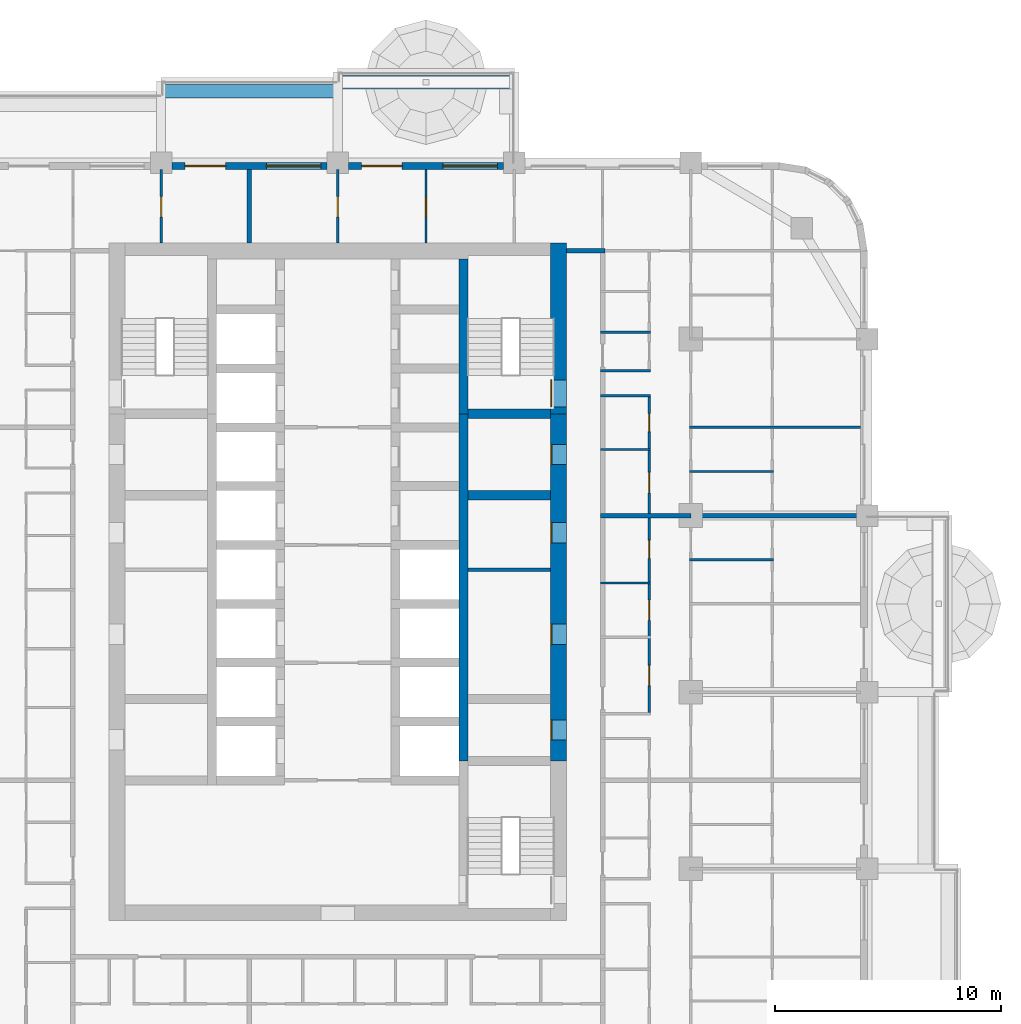
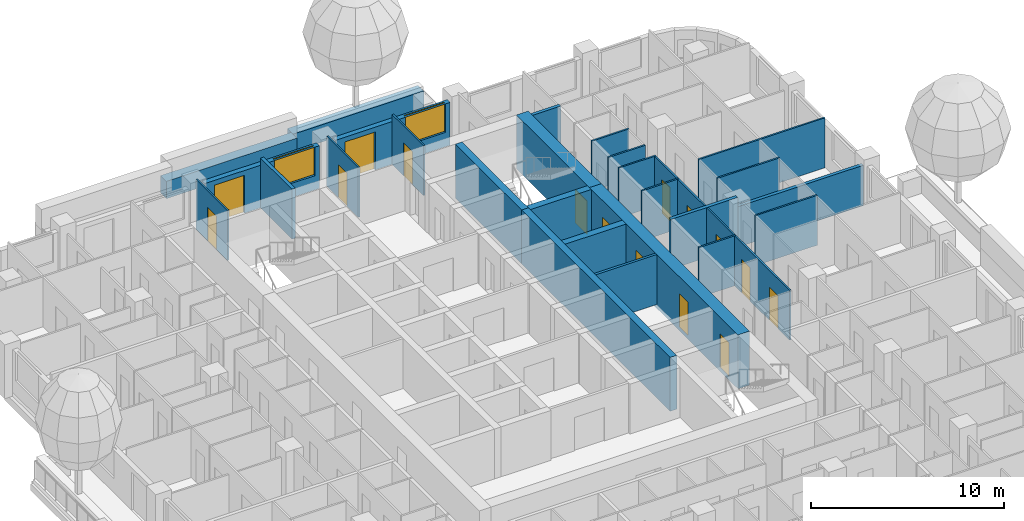
# One storey, part 12 of 18: 27 walls, 15 doors, 2 windows, 17 openings.
"""IFC4 building model written with IfcOpenShell, lengths in metres."""

import ifcopenshell
import ifcopenshell.guid

model = None  # the IFC model being written
_history = None  # IfcOwnerHistory: only IFC2X3 demands one
_inside = {}  # id of a spatial element -> (the spatial element, [elements in it])
_under = {}  # id of a project, library or spatial element -> (it, [spatial elements below it])
_declared = {}  # id of a project -> (the project, [libraries it declares])
_typed = {}  # id of a type object -> (the type object, [elements of that type])
_made_of = {}  # id of a material, layer set ... -> (it, [elements and type objects made of it])


def new_model(schema):
    """Start an empty IFC model of exactly this schema.

    Asked for "IFC4X3", IfcOpenShell would pick the latest addendum, in which some entities
    have other attributes; the version numbers below select the first issue.
    IFC2X3 requires an IfcOwnerHistory on every rooted entity: one is made here for all.
    """
    global model, _history
    if schema == "IFC4X3":
        model = ifcopenshell.file(schema_version=(4, 3, 0, 0))
    else:
        model = ifcopenshell.file(schema=schema)
    _inside.clear()
    _under.clear()
    _declared.clear()
    _typed.clear()
    _made_of.clear()
    _history = None
    if model.schema == "IFC2X3":
        org = make("IfcOrganization", Name="unknown")
        user = make(
            "IfcPersonAndOrganization",
            ThePerson=make("IfcPerson", FamilyName="unknown"),
            TheOrganization=org,
        )
        app = make(
            "IfcApplication",
            ApplicationDeveloper=org,
            Version="unknown",
            ApplicationFullName="unknown",
            ApplicationIdentifier="unknown",
        )
        _history = make(
            "IfcOwnerHistory",
            OwningUser=user,
            OwningApplication=app,
            ChangeAction="ADDED",
            CreationDate=0,
        )
    return model


def make(cls, **values):
    """One entity of the class cls with the attributes given. An attribute that is None is left unset."""
    return model.create_entity(
        cls, **{name: value for name, value in values.items() if value is not None}
    )


def rooted(cls, **values):
    """An entity with a GlobalId (a new one), such as an element, a storey or a relation."""
    return make(cls, GlobalId=ifcopenshell.guid.new(), OwnerHistory=_history, **values)


def si_unit(unit_type, name, prefix=None):
    """IfcSIUnit, for example si_unit("LENGTHUNIT", "METRE", prefix="MILLI")."""
    return make("IfcSIUnit", UnitType=unit_type, Prefix=prefix, Name=name)


def assignment(units):
    """IfcUnitAssignment: the units of a project."""
    return None if units is None else make("IfcUnitAssignment", Units=units)


def point(xyz):
    """IfcCartesianPoint."""
    return None if xyz is None else make("IfcCartesianPoint", Coordinates=xyz)


def direction(xyz):
    """IfcDirection."""
    return None if xyz is None else make("IfcDirection", DirectionRatios=xyz)


def frame(location, z_axis=None, x_axis=None):
    """IfcAxis2Placement3D, a coordinate frame: its origin and axes. An axis left out is left unset."""
    return make(
        "IfcAxis2Placement3D",
        Location=point(location),
        Axis=direction(z_axis),
        RefDirection=direction(x_axis),
    )


def frame_2d(location, x_axis=None):
    """IfcAxis2Placement2D, a coordinate frame in the plane: its origin and x axis."""
    return make(
        "IfcAxis2Placement2D", Location=point(location), RefDirection=direction(x_axis)
    )


def origin():
    """The frame at (0, 0, 0) with its axes left unset."""
    return frame((0.0, 0.0, 0.0))


def place(relative_to, where):
    """IfcLocalPlacement: puts the frame where relative to a parent placement (None: the world)."""
    return make(
        "IfcLocalPlacement", PlacementRelTo=relative_to, RelativePlacement=where
    )


def context(
    kind, dimensions, precision=None, world=None, true_north=None, identifier=None
):
    """IfcGeometricRepresentationContext, for example the 3D "Model" context."""
    return make(
        "IfcGeometricRepresentationContext",
        ContextIdentifier=identifier,
        ContextType=kind,
        CoordinateSpaceDimension=dimensions,
        Precision=precision,
        WorldCoordinateSystem=world,
        TrueNorth=true_north,
    )


def subcontext(parent, identifier, kind, view, scale=None):
    """IfcGeometricRepresentationSubContext, for example "Body" below "Model"."""
    return make(
        "IfcGeometricRepresentationSubContext",
        ContextIdentifier=identifier,
        ContextType=kind,
        ParentContext=parent,
        TargetScale=scale,
        TargetView=view,
    )


def project(units=None, contexts=None):
    """IfcProject with its units and contexts."""
    return rooted(
        "IfcProject",
        Name="project",
        RepresentationContexts=contexts,
        UnitsInContext=assignment(units),
    )


def spatial(cls, under=None, at=None, **own):
    """A site, building, storey or space (cls), placed at a placement, below another one or the project."""
    s = rooted(cls, ObjectPlacement=at, **own)
    if under is not None:
        _under.setdefault(under.id(), (under, []))[1].append(s)
    return s


def profile(cls, at=None, kind="AREA", **sizes):
    """A parametric profile (cls). Its sizes go by their IFC names, for example OverallWidth=200.0."""
    return make(cls, ProfileType=kind, Position=at, **sizes)


def rectangle(**sizes):
    """IfcRectangleProfileDef."""
    return profile("IfcRectangleProfileDef", **sizes)


def extrude(swept, where, along, depth):
    """IfcExtrudedAreaSolid: the profile swept, set in the frame where, extruded along a direction by depth."""
    return make(
        "IfcExtrudedAreaSolid",
        SweptArea=swept,
        Position=where,
        ExtrudedDirection=direction(along),
        Depth=depth,
    )


def shape(context_of_items, identifier, shape_type, items):
    """IfcShapeRepresentation: the items that make up one representation, for example the "Body"."""
    return make(
        "IfcShapeRepresentation",
        ContextOfItems=context_of_items,
        RepresentationIdentifier=identifier,
        RepresentationType=shape_type,
        Items=items,
    )


def material(Name=None, Category=None):
    """IfcMaterial."""
    return make("IfcMaterial", Name=Name, Category=Category)


def layer(
    of_material, thickness, ventilated=None, Name=None, Category=None, Priority=None
):
    """IfcMaterialLayer: one layer of a wall or slab, of a material (None: an air gap)."""
    return make(
        "IfcMaterialLayer",
        Material=of_material,
        LayerThickness=thickness,
        IsVentilated=ventilated,
        Name=Name,
        Category=Category,
        Priority=Priority,
    )


def layer_set(layers, Name=None):
    """IfcMaterialLayerSet."""
    return make("IfcMaterialLayerSet", MaterialLayers=layers, LayerSetName=Name)


def made_of(thing, what):
    """Note that an element or type object is made of a material, layer set ...; save() writes the relation."""
    if what is not None:
        _made_of.setdefault(what.id(), (what, []))[1].append(thing)
    return thing


def type_object(cls, material=None, **own):
    """A type object (cls), such as IfcWallType, which elements share."""
    return made_of(rooted(cls, **own), material)


def element(
    cls,
    number,
    at=None,
    inside=None,
    cuts=None,
    type_object=None,
    material=None,
    context=None,
    identifier="Body",
    shape_type=None,
    held_by="IfcProductDefinitionShape",
    body=None,
    shapes=None,
    **own,
):
    """One element of the class cls, such as IfcWall. Its Tag is "e" and its number.

    at: its placement. inside: the storey or other place that contains it. cuts: it is an
    opening in that element (IfcRelVoidsElement). A single representation is given by context,
    identifier, shape_type and body (its items); several are given by shapes. held_by: the class
    of the entity that holds the representations. save() writes the other relations.
    """
    e = rooted(cls, Tag="e%d" % number, ObjectPlacement=at, **own)
    if body is not None:
        shapes = [shape(context, identifier, shape_type, body)]
    if shapes is not None:
        e.Representation = make(held_by, Representations=shapes)
    if inside is not None:
        _inside.setdefault(inside.id(), (inside, []))[1].append(e)
    if cuts is not None:
        rooted(
            "IfcRelVoidsElement", RelatingBuildingElement=cuts, RelatedOpeningElement=e
        )
    if type_object is not None:
        _typed.setdefault(type_object.id(), (type_object, []))[1].append(e)
    return made_of(e, material)


def fill(opening, filler):
    """IfcRelFillsElement: the door or window that sits in an opening."""
    return rooted(
        "IfcRelFillsElement",
        RelatingOpeningElement=opening,
        RelatedBuildingElement=filler,
    )


def aggregate(whole, parts):
    """IfcRelAggregates: a whole, such as a stair, and the parts it consists of."""
    return rooted("IfcRelAggregates", RelatingObject=whole, RelatedObjects=parts)


def save(model, path):
    """Write the relations noted so far, then the file.

    IfcRelAggregates (storeys below a building ...), IfcRelContainedInSpatialStructure (elements
    in a storey), IfcRelDefinesByType, IfcRelAssociatesMaterial and IfcRelDeclares: one each for
    every whole, place, type object, material and project.
    """
    for whole, parts in _under.values():
        aggregate(whole, parts)
    for where, things in _inside.values():
        rooted(
            "IfcRelContainedInSpatialStructure",
            RelatedElements=things,
            RelatingStructure=where,
        )
    for kind, things in _typed.values():
        rooted("IfcRelDefinesByType", RelatedObjects=things, RelatingType=kind)
    for what, things in _made_of.values():
        rooted("IfcRelAssociatesMaterial", RelatedObjects=things, RelatingMaterial=what)
    for by, libraries in _declared.values():
        rooted("IfcRelDeclares", RelatingContext=by, RelatedDefinitions=libraries)
    model.write(path)


model = new_model("IFC4")

# Units and contexts
model_context = context("Model", 3, precision=1e-05, world=origin(), true_north=direction((0.0, 1.0)))
body_context = subcontext(model_context, "Body", "Model", "MODEL_VIEW")
ifc_project = project(units=[si_unit("LENGTHUNIT", "METRE"), si_unit("AREAUNIT", "SQUARE_METRE"), si_unit("VOLUMEUNIT", "CUBIC_METRE"), si_unit("PLANEANGLEUNIT", "RADIAN"), si_unit("MASSUNIT", "GRAM", prefix="KILO")], contexts=[model_context])

# Site, building, storey
site_placement = place(None, origin())
site = spatial("IfcSite", under=ifc_project, at=site_placement, CompositionType="ELEMENT")
building_placement = place(site_placement, origin())
building = spatial("IfcBuilding", under=site, at=building_placement, Name="Ludao Terraces", CompositionType="ELEMENT")
storey_placement = place(building_placement, frame((0.0, 0.0, 58.0)))
storey = spatial("IfcBuildingStorey", under=building, at=storey_placement, Name="L15", CompositionType="ELEMENT", Elevation=58.0)

# Wall, openings, doors
ifc_material_1 = material(Name="Concrete C70", Category="concrete")
ifc_layer_1 = layer(ifc_material_1, 0.699951171875)
ifc_layer_set_1 = layer_set([ifc_layer_1], Name="Core wall 700 C70")
wall_type_1 = type_object("IfcWallType", Name="Core wall 700 C70", PredefinedType="SOLIDWALL", material=ifc_layer_set_1)
wall_1_placement = place(storey_placement, frame((94.75, 61.949951171875, -0.25), z_axis=(0.0, 0.0, 1.0), x_axis=(0.0, 1.0, 0.0)))
wall_1 = element("IfcWall", 1, at=wall_1_placement, inside=storey, type_object=wall_type_1, Name="Core wall L15 outer-E", PredefinedType="SOLIDWALL", context=body_context, shape_type="SweptSolid", body=[
    extrude(rectangle(XDim=15.35009765625, YDim=0.699951171875, at=frame_2d((7.675048828125, 0.0))), origin(), (0.0, 0.0, 1.0), 3.39990234375),
])
opening_1_placement = place(wall_1_placement, frame((0.925048828125, 0.0, 0.25)))
opening_1 = element("IfcOpeningElement", 2, at=opening_1_placement, cuts=wall_1, Name="Opening R04-081", PredefinedType="OPENING", context=body_context, shape_type="SweptSolid", body=[
    extrude(rectangle(XDim=0.89990234375, YDim=2.10009765625, at=frame_2d((0.449951171875, 1.050048828125))), frame((0.0, 0.35986328125, 0.0), z_axis=(0.0, -1.0, 0.0), x_axis=(1.0, 0.0, 0.0)), (0.0, 0.0, 1.0), 0.719970703125),
])
opening_2_placement = place(wall_1_placement, frame((5.14990234375, 0.0, 0.25)))
opening_2 = element("IfcOpeningElement", 3, at=opening_2_placement, cuts=wall_1, Name="Opening R04-091", PredefinedType="OPENING", context=body_context, shape_type="SweptSolid", body=[
    extrude(rectangle(XDim=0.89990234375, YDim=2.10009765625, at=frame_2d((0.449951171875, 1.050048828125))), frame((0.0, 0.35986328125, 0.0), z_axis=(0.0, -1.0, 0.0), x_axis=(1.0, 0.0, 0.0)), (0.0, 0.0, 1.0), 0.719970703125),
])
opening_3_placement = place(wall_1_placement, frame((9.64990234375, 0.0, 0.25)))
opening_3 = element("IfcOpeningElement", 4, at=opening_3_placement, cuts=wall_1, Name="Opening R04-108", PredefinedType="OPENING", context=body_context, shape_type="SweptSolid", body=[
    extrude(rectangle(XDim=0.89990234375, YDim=2.10009765625, at=frame_2d((0.449951171875, 1.050048828125))), frame((0.0, 0.35986328125, 0.0), z_axis=(0.0, -1.0, 0.0), x_axis=(1.0, 0.0, 0.0)), (0.0, 0.0, 1.0), 0.719970703125),
])
opening_4_placement = place(wall_1_placement, frame((13.10009765625, 0.0, 0.25)))
opening_4 = element("IfcOpeningElement", 5, at=opening_4_placement, cuts=wall_1, Name="Opening R04-118", PredefinedType="OPENING", context=body_context, shape_type="SweptSolid", body=[
    extrude(rectangle(XDim=0.89990234375, YDim=2.10009765625, at=frame_2d((0.449951171875, 1.050048828125))), frame((0.0, 0.35986328125, 0.0), z_axis=(0.0, -1.0, 0.0), x_axis=(1.0, 0.0, 0.0)), (0.0, 0.0, 1.0), 0.719970703125),
])
ifc_material_2 = material(Name="Steel Q235", Category="steel")
door_type_1 = type_object("IfcDoorType", Name="INT Riser door 900", OperationType="SINGLE_SWING_LEFT", PredefinedType="DOOR", material=ifc_material_2)
door_1_placement = place(opening_1_placement, origin())
door_1 = element("IfcDoor", 6, at=door_1_placement, inside=storey, type_object=door_type_1, Name="DOOR 081", OperationType="SINGLE_SWING_LEFT", OverallHeight=2.10009765625, OverallWidth=0.89990234375, PredefinedType="DOOR", context=body_context, shape_type="SweptSolid", body=[
    extrude(rectangle(XDim=0.89990234375, YDim=2.10009765625, at=frame_2d((0.449951171875, 1.050048828125))), frame((0.0, 0.3349609375, 0.0), z_axis=(0.0, -1.0, 0.0), x_axis=(1.0, 0.0, 0.0)), (0.0, 0.0, 1.0), 0.050048828125),
])
fill(opening_1, door_1)
door_2_placement = place(opening_4_placement, origin())
door_2 = element("IfcDoor", 7, at=door_2_placement, inside=storey, type_object=door_type_1, Name="DOOR 118", OperationType="SINGLE_SWING_LEFT", OverallHeight=2.10009765625, OverallWidth=0.89990234375, PredefinedType="DOOR", context=body_context, shape_type="SweptSolid", body=[
    extrude(rectangle(XDim=0.89990234375, YDim=2.10009765625, at=frame_2d((0.449951171875, 1.050048828125))), frame((0.0, 0.3349609375, 0.0), z_axis=(0.0, -1.0, 0.0), x_axis=(1.0, 0.0, 0.0)), (0.0, 0.0, 1.0), 0.050048828125),
])
fill(opening_4, door_2)
ifc_material_3 = material(Name="Timber door leaf", Category="wood")
door_type_2 = type_object("IfcDoorType", Name="INT Room door 900", OperationType="SINGLE_SWING_LEFT", PredefinedType="DOOR", material=ifc_material_3)
door_3_placement = place(opening_2_placement, origin())
door_3 = element("IfcDoor", 8, at=door_3_placement, inside=storey, type_object=door_type_2, Name="DOOR 091", OperationType="SINGLE_SWING_LEFT", OverallHeight=2.10009765625, OverallWidth=0.89990234375, PredefinedType="DOOR", context=body_context, shape_type="SweptSolid", body=[
    extrude(rectangle(XDim=0.89990234375, YDim=2.10009765625, at=frame_2d((0.449951171875, 1.050048828125))), frame((0.0, 0.3349609375, 0.0), z_axis=(0.0, -1.0, 0.0), x_axis=(1.0, 0.0, 0.0)), (0.0, 0.0, 1.0), 0.050048828125),
])
fill(opening_2, door_3)
door_4_placement = place(opening_3_placement, origin())
door_4 = element("IfcDoor", 9, at=door_4_placement, inside=storey, type_object=door_type_2, Name="DOOR 108", OperationType="SINGLE_SWING_RIGHT", OverallHeight=2.10009765625, OverallWidth=0.89990234375, PredefinedType="DOOR", context=body_context, shape_type="SweptSolid", body=[
    extrude(rectangle(XDim=0.89990234375, YDim=2.10009765625, at=frame_2d((0.449951171875, 1.050048828125))), frame((0.0, 0.3349609375, 0.0), z_axis=(0.0, -1.0, 0.0), x_axis=(1.0, 0.0, 0.0)), (0.0, 0.0, 1.0), 0.050048828125),
])
fill(opening_3, door_4)

# Wall, opening, door
wall_2_placement = place(storey_placement, frame((94.75, 77.300048828125, -0.25), z_axis=(0.0, 0.0, 1.0), x_axis=(0.0, 1.0, 0.0)))
wall_2 = element("IfcWall", 10, at=wall_2_placement, inside=storey, type_object=wall_type_1, Name="Core wall L15 outer-E-S2", PredefinedType="SOLIDWALL", context=body_context, shape_type="SweptSolid", body=[
    extrude(rectangle(XDim=7.550048828125, YDim=0.699951171875, at=frame_2d((3.77490234375, 0.0))), origin(), (0.0, 0.0, 1.0), 3.39990234375),
])
opening_5_placement = place(wall_2_placement, frame((0.300048828125, 0.0, 0.25)))
opening_5 = element("IfcOpeningElement", 11, at=opening_5_placement, cuts=wall_2, Name="Opening R04-132", PredefinedType="OPENING", context=body_context, shape_type="SweptSolid", body=[
    extrude(rectangle(XDim=1.199951171875, YDim=2.10009765625, at=frame_2d((0.60009765625, 1.050048828125))), frame((0.0, 0.35986328125, 0.0), z_axis=(0.0, -1.0, 0.0), x_axis=(1.0, 0.0, 0.0)), (0.0, 0.0, 1.0), 0.719970703125),
])
door_type_3 = type_object("IfcDoorType", Name="INT Stair door 1200", OperationType="DOUBLE_DOOR_SINGLE_SWING", PredefinedType="DOOR", material=ifc_material_2)
door_5_placement = place(opening_5_placement, origin())
door_5 = element("IfcDoor", 12, at=door_5_placement, inside=storey, type_object=door_type_3, Name="DOOR 132", OperationType="DOUBLE_DOOR_SINGLE_SWING", OverallHeight=2.10009765625, OverallWidth=1.199951171875, PredefinedType="DOOR", context=body_context, shape_type="SweptSolid", body=[
    extrude(rectangle(XDim=1.199951171875, YDim=2.10009765625, at=frame_2d((0.60009765625, 1.050048828125))), frame((0.0, 0.3349609375, 0.0), z_axis=(0.0, -1.0, 0.0), x_axis=(1.0, 0.0, 0.0)), (0.0, 0.0, 1.0), 0.050048828125),
])
fill(opening_5, door_5)

# Walls
ifc_material_4 = material(Name="Concrete C40", Category="concrete")
ifc_layer_2 = layer(ifc_material_4, 0.60009765625)
ifc_layer_set_2 = layer_set([ifc_layer_2], Name="ENV Planter trough 600")
wall_type_2 = type_object("IfcWallType", Name="ENV Planter trough 600", PredefinedType="USERDEFINED", material=ifc_layer_set_2)
for number, where, z_axis, x_axis, name in (
    (13, (77.199951171875, 91.550048828125, 0.0), (0.0, 0.0, 1.0), (1.0, 0.0, 0.0), "PL-L15-N2"),
    (14, (85.0, 91.949951171875, 0.0), (0.0, 0.0, 1.0), (1.0, 0.0, 0.0), "PL-L15-N3"),
):
    element("IfcWall", number, at=place(storey_placement, frame(where, z_axis=z_axis, x_axis=x_axis)), inside=storey, type_object=wall_type_2, Name=name, ObjectType="PLANTER", PredefinedType="USERDEFINED", context=body_context, shape_type="SweptSolid", body=[
        extrude(rectangle(XDim=7.800048828125, YDim=0.60009765625, at=frame_2d((3.89990234375, 0.0))), origin(), (0.0, 0.0, 1.0), 1.10009765625),
    ])

# Wall, openings, door, window
ifc_material_5 = material(Name="Granite cladding", Category="masonry")
ifc_layer_3 = layer(ifc_material_5, 0.0400390625, Category="stone")
ifc_material_6 = material(Name="Mineral wool")
ifc_layer_4 = layer(ifc_material_6, 0.06005859375)
ifc_layer_5 = layer(ifc_material_4, 0.199951171875, Category="concrete")
ifc_layer_set_3 = layer_set([ifc_layer_3, ifc_layer_4, ifc_layer_5], Name="ENV Stone-clad wall 300")
wall_type_3 = type_object("IfcWallType", Name="ENV Stone-clad wall 300", PredefinedType="SOLIDWALL", material=ifc_layer_set_3)
wall_3_placement = place(storey_placement, frame((77.675048828125, 88.25, 0.0), z_axis=(0.0, 0.0, 1.0), x_axis=(1.0, 0.0, 0.0)))
wall_3 = element("IfcWall", 15, at=wall_3_placement, inside=storey, type_object=wall_type_3, Name="EW-L15-N3", PredefinedType="SOLIDWALL", context=body_context, shape_type="SweptSolid", body=[
    extrude(rectangle(XDim=6.849853515625, YDim=0.300048828125, at=frame_2d((3.4248046875, 0.0))), origin(), (0.0, 0.0, 1.0), 2.699951171875),
])
opening_6_placement = place(wall_3_placement, frame((0.574951171875, 0.0, 0.0)))
opening_6 = element("IfcOpeningElement", 16, at=opening_6_placement, cuts=wall_3, Name="Opening BD", PredefinedType="OPENING", context=body_context, shape_type="SweptSolid", body=[
    extrude(rectangle(XDim=1.800048828125, YDim=2.39990234375, at=frame_2d((0.89990234375, 1.199951171875))), frame((0.0, 0.16015625, 0.0), z_axis=(0.0, -1.0, 0.0), x_axis=(1.0, 0.0, 0.0)), (0.0, 0.0, 1.0), 0.320068359375),
])
opening_7_placement = place(wall_3_placement, frame((4.175048828125, 0.0, 0.89990234375)))
opening_7 = element("IfcOpeningElement", 17, at=opening_7_placement, cuts=wall_3, Name="Opening W1", PredefinedType="OPENING", context=body_context, shape_type="SweptSolid", body=[
    extrude(rectangle(XDim=2.39990234375, YDim=1.800048828125, at=frame_2d((1.199951171875, 0.89990234375))), frame((0.0, 0.16015625, 0.0), z_axis=(0.0, -1.0, 0.0), x_axis=(1.0, 0.0, 0.0)), (0.0, 0.0, 1.0), 0.320068359375),
])
ifc_material_7 = material(Name="Aluminium glazed door", Category="aluminium")
ifc_layer_6 = layer(ifc_material_7, 0.06005859375)
ifc_layer_set_4 = layer_set([ifc_layer_6], Name="ENV Balcony door BD 1800x2400")
door_type_4 = type_object("IfcDoorType", Name="ENV Balcony door BD 1800x2400", OperationType="DOUBLE_DOOR_SINGLE_SWING", PredefinedType="DOOR", material=ifc_layer_set_4)
door_6_placement = place(opening_6_placement, origin())
door_6 = element("IfcDoor", 18, at=door_6_placement, inside=storey, type_object=door_type_4, Name="BD-L15-N3-1", OperationType="DOUBLE_DOOR_SINGLE_SWING", OverallHeight=2.39990234375, OverallWidth=1.800048828125, PredefinedType="DOOR", context=body_context, shape_type="SweptSolid", body=[
    extrude(rectangle(XDim=1.800048828125, YDim=2.39990234375, at=frame_2d((0.89990234375, 1.199951171875))), frame((0.0, 0.02490234375, 0.0), z_axis=(0.0, -1.0, 0.0), x_axis=(1.0, 0.0, 0.0)), (0.0, 0.0, 1.0), 0.050048828125),
])
fill(opening_6, door_6)
ifc_material_8 = material(Name="Clear glass in aluminium frame", Category="aluminium")
ifc_layer_7 = layer(ifc_material_8, 0.06005859375)
ifc_layer_set_5 = layer_set([ifc_layer_7], Name="ENV Window W1 2400x1800")
window_type = type_object("IfcWindowType", Name="ENV Window W1 2400x1800", PartitioningType="DOUBLE_PANEL_VERTICAL", PredefinedType="WINDOW", material=ifc_layer_set_5)
window_1_placement = place(opening_7_placement, origin())
window_1 = element("IfcWindow", 19, at=window_1_placement, inside=storey, type_object=window_type, Name="W-L15-N3-2", OverallHeight=1.800048828125, OverallWidth=2.39990234375, PartitioningType="DOUBLE_PANEL_VERTICAL", PredefinedType="WINDOW", context=body_context, shape_type="SweptSolid", body=[
    extrude(rectangle(XDim=2.39990234375, YDim=1.800048828125, at=frame_2d((1.199951171875, 0.89990234375))), frame((0.0, 0.030029296875, 0.0), z_axis=(0.0, -1.0, 0.0), x_axis=(1.0, 0.0, 0.0)), (0.0, 0.0, 1.0), 0.06005859375),
])
fill(opening_7, window_1)

wall_4_placement = place(storey_placement, frame((85.47509765625, 88.25, 0.0), z_axis=(0.0, 0.0, 1.0), x_axis=(1.0, 0.0, 0.0)))
wall_4 = element("IfcWall", 20, at=wall_4_placement, inside=storey, type_object=wall_type_3, Name="EW-L15-N4", PredefinedType="SOLIDWALL", context=body_context, shape_type="SweptSolid", body=[
    extrude(rectangle(XDim=6.849853515625, YDim=0.300048828125, at=frame_2d((3.4248046875, 0.0))), origin(), (0.0, 0.0, 1.0), 2.699951171875),
])
opening_8_placement = place(wall_4_placement, frame((0.574951171875, 0.0, 0.0)))
opening_8 = element("IfcOpeningElement", 21, at=opening_8_placement, cuts=wall_4, Name="Opening BD", PredefinedType="OPENING", context=body_context, shape_type="SweptSolid", body=[
    extrude(rectangle(XDim=1.800048828125, YDim=2.39990234375, at=frame_2d((0.89990234375, 1.199951171875))), frame((0.0, 0.16015625, 0.0), z_axis=(0.0, -1.0, 0.0), x_axis=(1.0, 0.0, 0.0)), (0.0, 0.0, 1.0), 0.320068359375),
])
opening_9_placement = place(wall_4_placement, frame((4.175048828125, 0.0, 0.89990234375)))
opening_9 = element("IfcOpeningElement", 22, at=opening_9_placement, cuts=wall_4, Name="Opening W1", PredefinedType="OPENING", context=body_context, shape_type="SweptSolid", body=[
    extrude(rectangle(XDim=2.39990234375, YDim=1.800048828125, at=frame_2d((1.199951171875, 0.89990234375))), frame((0.0, 0.16015625, 0.0), z_axis=(0.0, -1.0, 0.0), x_axis=(1.0, 0.0, 0.0)), (0.0, 0.0, 1.0), 0.320068359375),
])
door_7_placement = place(opening_8_placement, origin())
door_7 = element("IfcDoor", 23, at=door_7_placement, inside=storey, type_object=door_type_4, Name="BD-L15-N4-1", OperationType="DOUBLE_DOOR_SINGLE_SWING", OverallHeight=2.39990234375, OverallWidth=1.800048828125, PredefinedType="DOOR", context=body_context, shape_type="SweptSolid", body=[
    extrude(rectangle(XDim=1.800048828125, YDim=2.39990234375, at=frame_2d((0.89990234375, 1.199951171875))), frame((0.0, 0.02490234375, 0.0), z_axis=(0.0, -1.0, 0.0), x_axis=(1.0, 0.0, 0.0)), (0.0, 0.0, 1.0), 0.050048828125),
])
fill(opening_8, door_7)
window_2_placement = place(opening_9_placement, origin())
window_2 = element("IfcWindow", 24, at=window_2_placement, inside=storey, type_object=window_type, Name="W-L15-N4-2", OverallHeight=1.800048828125, OverallWidth=2.39990234375, PartitioningType="DOUBLE_PANEL_VERTICAL", PredefinedType="WINDOW", context=body_context, shape_type="SweptSolid", body=[
    extrude(rectangle(XDim=2.39990234375, YDim=1.800048828125, at=frame_2d((1.199951171875, 0.89990234375))), frame((0.0, 0.030029296875, 0.0), z_axis=(0.0, -1.0, 0.0), x_axis=(1.0, 0.0, 0.0)), (0.0, 0.0, 1.0), 0.06005859375),
])
fill(opening_9, window_2)

# Walls
ifc_material_9 = material(Name="Fire-rated gypsum plasterboard", Category="gypsum")
ifc_layer_8 = layer(ifc_material_9, 0.012451171875, Category="gypsum")
ifc_layer_9 = layer(ifc_material_6, 0.10009765625, Name="insulation")
ifc_layer_10 = layer(ifc_material_2, 0.02490234375, Name="stud")
ifc_layer_11 = layer(ifc_material_9, 0.012451171875, Category="gypsum")
ifc_layer_set_6 = layer_set([ifc_layer_8, ifc_layer_9, ifc_layer_10, ifc_layer_11], Name="INT Core partition 150")
wall_type_4 = type_object("IfcWallType", Name="INT Core partition 150", PredefinedType="PARTITIONING", material=ifc_layer_set_6)
wall_5_placement = place(storey_placement, frame((90.75, 70.39990234375, 0.0), z_axis=(0.0, 0.0, 1.0), x_axis=(1.0, 0.0, 0.0)))
element("IfcWall", 25, at=wall_5_placement, inside=storey, type_object=wall_type_4, Name="PW-L15-PW050", PredefinedType="PARTITIONING", context=body_context, shape_type="SweptSolid", body=[
    extrude(rectangle(XDim=3.650146484375, YDim=0.14990234375, at=frame_2d((1.8251953125, 0.0))), origin(), (0.0, 0.0, 1.0), 3.14990234375),
])
ifc_material_10 = material(Name="Autoclaved aerated concrete block B06 A3.5", Category="concrete")
ifc_layer_12 = layer(ifc_material_10, 0.199951171875)
ifc_layer_set_7 = layer_set([ifc_layer_12], Name="INT Entrance wall 200")
wall_type_5 = type_object("IfcWallType", Name="INT Entrance wall 200", PredefinedType="PARTITIONING", material=ifc_layer_set_7)
wall_6_placement = place(storey_placement, frame((95.10009765625, 84.5, 0.0), z_axis=(0.0, 0.0, 1.0), x_axis=(1.0, 0.0, 0.0)))
element("IfcWall", 26, at=wall_6_placement, inside=storey, type_object=wall_type_5, Name="PW-L15-PW078", PredefinedType="PARTITIONING", context=body_context, shape_type="SweptSolid", body=[
    extrude(rectangle(XDim=1.699951171875, YDim=0.199951171875, at=frame_2d((0.85009765625, 0.0))), origin(), (0.0, 0.0, 1.0), 3.14990234375),
])
ifc_material_11 = material(Name="Gypsum plasterboard", Category="gypsum")
ifc_layer_13 = layer(ifc_material_11, 0.012451171875, Category="gypsum")
ifc_layer_14 = layer(ifc_material_6, 0.06005859375, Name="insulation")
ifc_layer_15 = layer(ifc_material_2, 0.014892578125, Name="stud")
ifc_layer_16 = layer(ifc_material_11, 0.012451171875, Category="gypsum")
ifc_layer_set_8 = layer_set([ifc_layer_13, ifc_layer_14, ifc_layer_15, ifc_layer_16], Name="INT Partition 100")
wall_type_6 = type_object("IfcWallType", Name="INT Partition 100", PredefinedType="PARTITIONING", material=ifc_layer_set_8)
wall_7_placement = place(storey_placement, frame((96.60009765625, 69.820068359375, 0.0), z_axis=(0.0, 0.0, 1.0), x_axis=(1.0, 0.0, 0.0)))
element("IfcWall", 27, at=wall_7_placement, inside=storey, type_object=wall_type_6, Name="PW-L15-PW048", PredefinedType="PARTITIONING", context=body_context, shape_type="SweptSolid", body=[
    extrude(rectangle(XDim=2.219970703125, YDim=0.10009765625, at=frame_2d((1.10986328125, 0.0))), origin(), (0.0, 0.0, 1.0), 3.14990234375),
])
for number, where, z_axis, x_axis, name in (
    (28, (100.550048828125, 70.85009765625, 0.0), (0.0, 0.0, 1.0), (1.0, 0.0, 0.0), "PW-L15-PW052"),
    (29, (100.550048828125, 74.75, 0.0), (0.0, 0.0, 1.0), (1.0, 0.0, 0.0), "PW-L15-PW059"),
):
    element("IfcWall", number, at=place(storey_placement, frame(where, z_axis=z_axis, x_axis=x_axis)), inside=storey, type_object=wall_type_6, Name=name, PredefinedType="PARTITIONING", context=body_context, shape_type="SweptSolid", body=[
        extrude(rectangle(XDim=3.699951171875, YDim=0.10009765625, at=frame_2d((1.85009765625, 0.0))), origin(), (0.0, 0.0, 1.0), 3.14990234375),
    ])
wall_8_placement = place(storey_placement, frame((96.60009765625, 75.719970703125, 0.0), z_axis=(0.0, 0.0, 1.0), x_axis=(1.0, 0.0, 0.0)))
element("IfcWall", 30, at=wall_8_placement, inside=storey, type_object=wall_type_6, Name="PW-L15-PW061", PredefinedType="PARTITIONING", context=body_context, shape_type="SweptSolid", body=[
    extrude(rectangle(XDim=2.219970703125, YDim=0.10009765625, at=frame_2d((1.10986328125, 0.0))), origin(), (0.0, 0.0, 1.0), 3.14990234375),
])
wall_9_placement = place(storey_placement, frame((100.550048828125, 76.699951171875, 0.0), z_axis=(0.0, 0.0, 1.0), x_axis=(1.0, 0.0, 0.0)))
element("IfcWall", 31, at=wall_9_placement, inside=storey, type_object=wall_type_6, Name="PW-L15-PW064", PredefinedType="PARTITIONING", context=body_context, shape_type="SweptSolid", body=[
    extrude(rectangle(XDim=7.550048828125, YDim=0.10009765625, at=frame_2d((3.77490234375, 0.0))), origin(), (0.0, 0.0, 1.0), 3.14990234375),
])
for number, where, z_axis, x_axis, name in (
    (32, (96.60009765625, 78.10009765625, 0.0), (0.0, 0.0, 1.0), (1.0, 0.0, 0.0), "PW-L15-PW065"),
    (33, (96.60009765625, 79.199951171875, 0.0), (0.0, 0.0, 1.0), (1.0, 0.0, 0.0), "PW-L15-PW068"),
    (34, (96.60009765625, 80.89990234375, 0.0), (0.0, 0.0, 1.0), (1.0, 0.0, 0.0), "PW-L15-PW072"),
):
    element("IfcWall", number, at=place(storey_placement, frame(where, z_axis=z_axis, x_axis=x_axis)), inside=storey, type_object=wall_type_6, Name=name, PredefinedType="PARTITIONING", context=body_context, shape_type="SweptSolid", body=[
        extrude(rectangle(XDim=2.219970703125, YDim=0.10009765625, at=frame_2d((1.10986328125, 0.0))), origin(), (0.0, 0.0, 1.0), 3.14990234375),
    ])

# Wall, opening, door
wall_10_placement = place(storey_placement, frame((77.199951171875, 84.85009765625, 0.0), z_axis=(0.0, 0.0, 1.0), x_axis=(0.0, 1.0, 0.0)))
wall_10 = element("IfcWall", 35, at=wall_10_placement, inside=storey, type_object=wall_type_6, Name="PW-L15-PW095", PredefinedType="PARTITIONING", context=body_context, shape_type="SweptSolid", body=[
    extrude(rectangle(XDim=3.25, YDim=0.10009765625, at=frame_2d((1.625, 0.0))), origin(), (0.0, 0.0, 1.0), 3.14990234375),
])
opening_10_placement = place(wall_10_placement, frame((1.14990234375, 0.0, 0.0)))
opening_10 = element("IfcOpeningElement", 36, at=opening_10_placement, cuts=wall_10, Name="Opening R04-158", PredefinedType="OPENING", context=body_context, shape_type="SweptSolid", body=[
    extrude(rectangle(XDim=0.89990234375, YDim=2.10009765625, at=frame_2d((0.449951171875, 1.050048828125))), frame((0.0, 0.06005859375, 0.0), z_axis=(0.0, -1.0, 0.0), x_axis=(1.0, 0.0, 0.0)), (0.0, 0.0, 1.0), 0.1201171875),
])
door_8_placement = place(opening_10_placement, origin())
door_8 = element("IfcDoor", 37, at=door_8_placement, inside=storey, type_object=door_type_2, Name="DOOR 158", OperationType="SINGLE_SWING_RIGHT", OverallHeight=2.10009765625, OverallWidth=0.89990234375, PredefinedType="DOOR", context=body_context, shape_type="SweptSolid", body=[
    extrude(rectangle(XDim=0.89990234375, YDim=2.10009765625, at=frame_2d((0.449951171875, 1.050048828125))), frame((0.0, 0.02490234375, 0.0), z_axis=(0.0, -1.0, 0.0), x_axis=(1.0, 0.0, 0.0)), (0.0, 0.0, 1.0), 0.050048828125),
])
fill(opening_10, door_8)

wall_11_placement = place(storey_placement, frame((85.0, 84.85009765625, 0.0), z_axis=(0.0, 0.0, 1.0), x_axis=(0.0, 1.0, 0.0)))
wall_11 = element("IfcWall", 38, at=wall_11_placement, inside=storey, type_object=wall_type_6, Name="PW-L15-PW102", PredefinedType="PARTITIONING", context=body_context, shape_type="SweptSolid", body=[
    extrude(rectangle(XDim=3.25, YDim=0.10009765625, at=frame_2d((1.625, 0.0))), origin(), (0.0, 0.0, 1.0), 3.14990234375),
])
opening_11_placement = place(wall_11_placement, frame((1.14990234375, 0.0, 0.0)))
opening_11 = element("IfcOpeningElement", 39, at=opening_11_placement, cuts=wall_11, Name="Opening R04-159", PredefinedType="OPENING", context=body_context, shape_type="SweptSolid", body=[
    extrude(rectangle(XDim=0.89990234375, YDim=2.10009765625, at=frame_2d((0.449951171875, 1.050048828125))), frame((0.0, 0.06005859375, 0.0), z_axis=(0.0, -1.0, 0.0), x_axis=(1.0, 0.0, 0.0)), (0.0, 0.0, 1.0), 0.1201171875),
])
door_9_placement = place(opening_11_placement, origin())
door_9 = element("IfcDoor", 40, at=door_9_placement, inside=storey, type_object=door_type_2, Name="DOOR 159", OperationType="SINGLE_SWING_LEFT", OverallHeight=2.10009765625, OverallWidth=0.89990234375, PredefinedType="DOOR", context=body_context, shape_type="SweptSolid", body=[
    extrude(rectangle(XDim=0.89990234375, YDim=2.10009765625, at=frame_2d((0.449951171875, 1.050048828125))), frame((0.0, 0.02490234375, 0.0), z_axis=(0.0, -1.0, 0.0), x_axis=(1.0, 0.0, 0.0)), (0.0, 0.0, 1.0), 0.050048828125),
])
fill(opening_11, door_9)

wall_12_placement = place(storey_placement, frame((88.89990234375, 84.85009765625, 0.0), z_axis=(0.0, 0.0, 1.0), x_axis=(0.0, 1.0, 0.0)))
wall_12 = element("IfcWall", 41, at=wall_12_placement, inside=storey, type_object=wall_type_6, Name="PW-L15-PW107", PredefinedType="PARTITIONING", context=body_context, shape_type="SweptSolid", body=[
    extrude(rectangle(XDim=3.25, YDim=0.10009765625, at=frame_2d((1.625, 0.0))), origin(), (0.0, 0.0, 1.0), 3.14990234375),
])
opening_12_placement = place(wall_12_placement, frame((1.14990234375, 0.0, 0.0)))
opening_12 = element("IfcOpeningElement", 42, at=opening_12_placement, cuts=wall_12, Name="Opening R04-160", PredefinedType="OPENING", context=body_context, shape_type="SweptSolid", body=[
    extrude(rectangle(XDim=0.89990234375, YDim=2.10009765625, at=frame_2d((0.449951171875, 1.050048828125))), frame((0.0, 0.06005859375, 0.0), z_axis=(0.0, -1.0, 0.0), x_axis=(1.0, 0.0, 0.0)), (0.0, 0.0, 1.0), 0.1201171875),
])
door_10_placement = place(opening_12_placement, origin())
door_10 = element("IfcDoor", 43, at=door_10_placement, inside=storey, type_object=door_type_2, Name="DOOR 160", OperationType="SINGLE_SWING_RIGHT", OverallHeight=2.10009765625, OverallWidth=0.89990234375, PredefinedType="DOOR", context=body_context, shape_type="SweptSolid", body=[
    extrude(rectangle(XDim=0.89990234375, YDim=2.10009765625, at=frame_2d((0.449951171875, 1.050048828125))), frame((0.0, 0.02490234375, 0.0), z_axis=(0.0, -1.0, 0.0), x_axis=(1.0, 0.0, 0.0)), (0.0, 0.0, 1.0), 0.050048828125),
])
fill(opening_12, door_10)

# Wall, openings, doors
wall_13_placement = place(storey_placement, frame((98.77001953125, 64.10009765625, 0.0), z_axis=(0.0, 0.0, 1.0), x_axis=(0.0, 1.0, 0.0)))
wall_13 = element("IfcWall", 44, at=wall_13_placement, inside=storey, type_object=wall_type_6, Name="PW-L15-PW118", PredefinedType="PARTITIONING", context=body_context, shape_type="SweptSolid", body=[
    extrude(rectangle(XDim=13.949951171875, YDim=0.10009765625, at=frame_2d((6.97509765625, 0.0))), origin(), (0.0, 0.0, 1.0), 3.14990234375),
])
opening_13_placement = place(wall_13_placement, frame((1.18505859375, 0.0, 0.0)))
opening_13 = element("IfcOpeningElement", 45, at=opening_13_placement, cuts=wall_13, Name="Opening R04-085", PredefinedType="OPENING", context=body_context, shape_type="SweptSolid", body=[
    extrude(rectangle(XDim=0.89990234375, YDim=2.10009765625, at=frame_2d((0.449951171875, 1.050048828125))), frame((0.0, 0.06005859375, 0.0), z_axis=(0.0, -1.0, 0.0), x_axis=(1.0, 0.0, 0.0)), (0.0, 0.0, 1.0), 0.1201171875),
])
opening_14_placement = place(wall_13_placement, frame((4.070068359375, 0.0, 0.0)))
opening_14 = element("IfcOpeningElement", 46, at=opening_14_placement, cuts=wall_13, Name="Opening R04-096", PredefinedType="OPENING", context=body_context, shape_type="SweptSolid", body=[
    extrude(rectangle(XDim=0.89990234375, YDim=2.10009765625, at=frame_2d((0.449951171875, 1.050048828125))), frame((0.0, 0.06005859375, 0.0), z_axis=(0.0, -1.0, 0.0), x_axis=(1.0, 0.0, 0.0)), (0.0, 0.0, 1.0), 0.1201171875),
])
opening_15_placement = place(wall_13_placement, frame((6.81005859375, 0.0, 0.0)))
opening_15 = element("IfcOpeningElement", 47, at=opening_15_placement, cuts=wall_13, Name="Opening R04-101", PredefinedType="OPENING", context=body_context, shape_type="SweptSolid", body=[
    extrude(rectangle(XDim=0.800048828125, YDim=2.10009765625, at=frame_2d((0.39990234375, 1.050048828125))), frame((0.0, 0.06005859375, 0.0), z_axis=(0.0, -1.0, 0.0), x_axis=(1.0, 0.0, 0.0)), (0.0, 0.0, 1.0), 0.1201171875),
])
opening_16_placement = place(wall_13_placement, frame((9.7099609375, 0.0, 0.0)))
opening_16 = element("IfcOpeningElement", 48, at=opening_16_placement, cuts=wall_13, Name="Opening R04-114", PredefinedType="OPENING", context=body_context, shape_type="SweptSolid", body=[
    extrude(rectangle(XDim=0.89990234375, YDim=2.10009765625, at=frame_2d((0.449951171875, 1.050048828125))), frame((0.0, 0.06005859375, 0.0), z_axis=(0.0, -1.0, 0.0), x_axis=(1.0, 0.0, 0.0)), (0.0, 0.0, 1.0), 0.1201171875),
])
opening_17_placement = place(wall_13_placement, frame((12.409912109375, 0.0, 0.0)))
opening_17 = element("IfcOpeningElement", 49, at=opening_17_placement, cuts=wall_13, Name="Opening R04-126", PredefinedType="OPENING", context=body_context, shape_type="SweptSolid", body=[
    extrude(rectangle(XDim=0.800048828125, YDim=2.10009765625, at=frame_2d((0.39990234375, 1.050048828125))), frame((0.0, 0.06005859375, 0.0), z_axis=(0.0, -1.0, 0.0), x_axis=(1.0, 0.0, 0.0)), (0.0, 0.0, 1.0), 0.1201171875),
])
door_type_5 = type_object("IfcDoorType", Name="INT Bathroom door 900", OperationType="SINGLE_SWING_LEFT", PredefinedType="DOOR", material=ifc_material_3)
door_11_placement = place(opening_14_placement, origin())
door_11 = element("IfcDoor", 50, at=door_11_placement, inside=storey, type_object=door_type_5, Name="DOOR 096", OperationType="SINGLE_SWING_LEFT", OverallHeight=2.10009765625, OverallWidth=0.89990234375, PredefinedType="DOOR", context=body_context, shape_type="SweptSolid", body=[
    extrude(rectangle(XDim=0.89990234375, YDim=2.10009765625, at=frame_2d((0.449951171875, 1.050048828125))), frame((0.0, 0.02490234375, 0.0), z_axis=(0.0, -1.0, 0.0), x_axis=(1.0, 0.0, 0.0)), (0.0, 0.0, 1.0), 0.050048828125),
])
fill(opening_14, door_11)
door_12_placement = place(opening_13_placement, origin())
door_12 = element("IfcDoor", 51, at=door_12_placement, inside=storey, type_object=door_type_2, Name="DOOR 085", OperationType="SINGLE_SWING_LEFT", OverallHeight=2.10009765625, OverallWidth=0.89990234375, PredefinedType="DOOR", context=body_context, shape_type="SweptSolid", body=[
    extrude(rectangle(XDim=0.89990234375, YDim=2.10009765625, at=frame_2d((0.449951171875, 1.050048828125))), frame((0.0, 0.02490234375, 0.0), z_axis=(0.0, -1.0, 0.0), x_axis=(1.0, 0.0, 0.0)), (0.0, 0.0, 1.0), 0.050048828125),
])
fill(opening_13, door_12)
door_13_placement = place(opening_16_placement, origin())
door_13 = element("IfcDoor", 52, at=door_13_placement, inside=storey, type_object=door_type_2, Name="DOOR 114", OperationType="SINGLE_SWING_LEFT", OverallHeight=2.10009765625, OverallWidth=0.89990234375, PredefinedType="DOOR", context=body_context, shape_type="SweptSolid", body=[
    extrude(rectangle(XDim=0.89990234375, YDim=2.10009765625, at=frame_2d((0.449951171875, 1.050048828125))), frame((0.0, 0.02490234375, 0.0), z_axis=(0.0, -1.0, 0.0), x_axis=(1.0, 0.0, 0.0)), (0.0, 0.0, 1.0), 0.050048828125),
])
fill(opening_16, door_13)
door_type_6 = type_object("IfcDoorType", Name="INT Store door 800", OperationType="SINGLE_SWING_LEFT", PredefinedType="DOOR", material=ifc_material_3)
door_14_placement = place(opening_15_placement, origin())
door_14 = element("IfcDoor", 53, at=door_14_placement, inside=storey, type_object=door_type_6, Name="DOOR 101", OperationType="SINGLE_SWING_RIGHT", OverallHeight=2.10009765625, OverallWidth=0.800048828125, PredefinedType="DOOR", context=body_context, shape_type="SweptSolid", body=[
    extrude(rectangle(XDim=0.800048828125, YDim=2.10009765625, at=frame_2d((0.39990234375, 1.050048828125))), frame((0.0, 0.02490234375, 0.0), z_axis=(0.0, -1.0, 0.0), x_axis=(1.0, 0.0, 0.0)), (0.0, 0.0, 1.0), 0.050048828125),
])
fill(opening_15, door_14)
door_15_placement = place(opening_17_placement, origin())
door_15 = element("IfcDoor", 54, at=door_15_placement, inside=storey, type_object=door_type_6, Name="DOOR 126", OperationType="SINGLE_SWING_RIGHT", OverallHeight=2.10009765625, OverallWidth=0.800048828125, PredefinedType="DOOR", context=body_context, shape_type="SweptSolid", body=[
    extrude(rectangle(XDim=0.800048828125, YDim=2.10009765625, at=frame_2d((0.39990234375, 1.050048828125))), frame((0.0, 0.02490234375, 0.0), z_axis=(0.0, -1.0, 0.0), x_axis=(1.0, 0.0, 0.0)), (0.0, 0.0, 1.0), 0.050048828125),
])
fill(opening_17, door_15)

# Walls
ifc_layer_17 = layer(ifc_material_10, 0.199951171875)
ifc_layer_set_9 = layer_set([ifc_layer_17], Name="INT Party wall 200")
wall_type_7 = type_object("IfcWallType", Name="INT Party wall 200", PredefinedType="PARTITIONING", material=ifc_layer_set_9)
wall_14_placement = place(storey_placement, frame((96.60009765625, 72.800048828125, 0.0), z_axis=(0.0, 0.0, 1.0), x_axis=(1.0, 0.0, 0.0)))
element("IfcWall", 55, at=wall_14_placement, inside=storey, type_object=wall_type_7, Name="PW-L15-PW056", PredefinedType="PARTITIONING", context=body_context, shape_type="SweptSolid", body=[
    extrude(rectangle(XDim=4.0, YDim=0.199951171875, at=frame_2d((2.0, 0.0))), origin(), (0.0, 0.0, 1.0), 3.14990234375),
])
wall_15_placement = place(storey_placement, frame((100.60009765625, 72.800048828125, 0.0), z_axis=(0.0, 0.0, 1.0), x_axis=(1.0, 0.0, 0.0)))
element("IfcWall", 56, at=wall_15_placement, inside=storey, type_object=wall_type_7, Name="PW-L15-PW056-2", PredefinedType="PARTITIONING", context=body_context, shape_type="SweptSolid", body=[
    extrude(rectangle(XDim=7.5, YDim=0.199951171875, at=frame_2d((3.75, 0.0))), origin(), (0.0, 0.0, 1.0), 2.550048828125),
])
wall_16_placement = place(storey_placement, frame((81.10009765625, 84.85009765625, 0.0), z_axis=(0.0, 0.0, 1.0), x_axis=(0.0, 1.0, 0.0)))
element("IfcWall", 57, at=wall_16_placement, inside=storey, type_object=wall_type_7, Name="PW-L15-PW098", PredefinedType="PARTITIONING", context=body_context, shape_type="SweptSolid", body=[
    extrude(rectangle(XDim=3.25, YDim=0.199951171875, at=frame_2d((1.625, 0.0))), origin(), (0.0, 0.0, 1.0), 3.14990234375),
])
ifc_material_12 = material(Name="Concrete C60", Category="concrete")
ifc_layer_18 = layer(ifc_material_12, 0.39990234375)
ifc_layer_set_10 = layer_set([ifc_layer_18], Name="Shaft wall 400 C60")
wall_type_8 = type_object("IfcWallType", Name="Shaft wall 400 C60", PredefinedType="SOLIDWALL", material=ifc_layer_set_10)
wall_17_placement = place(storey_placement, frame((90.550048828125, 61.949951171875, -0.25), z_axis=(0.0, 0.0, 1.0), x_axis=(0.0, 1.0, 0.0)))
element("IfcWall", 58, at=wall_17_placement, inside=storey, type_object=wall_type_8, Name="Core wall L15 back-E", PredefinedType="SOLIDWALL", context=body_context, shape_type="SweptSolid", body=[
    extrude(rectangle(XDim=15.35009765625, YDim=0.39990234375, at=frame_2d((7.675048828125, 0.0))), origin(), (0.0, 0.0, 1.0), 3.39990234375),
])
wall_18_placement = place(storey_placement, frame((90.550048828125, 77.300048828125, -0.25), z_axis=(0.0, 0.0, 1.0), x_axis=(0.0, 1.0, 0.0)))
element("IfcWall", 59, at=wall_18_placement, inside=storey, type_object=wall_type_8, Name="Core wall L15 back-E-S2", PredefinedType="SOLIDWALL", context=body_context, shape_type="SweptSolid", body=[
    extrude(rectangle(XDim=6.849853515625, YDim=0.39990234375, at=frame_2d((3.4248046875, 0.0))), origin(), (0.0, 0.0, 1.0), 3.39990234375),
])
for number, where, z_axis, x_axis, name in (
    (60, (90.75, 73.699951171875, -0.25), (0.0, 0.0, 1.0), (1.0, 0.0, 0.0), "Core wall L15 riser-b-E"),
    (61, (90.75, 77.300048828125, -0.25), (0.0, 0.0, 1.0), (1.0, 0.0, 0.0), "Core wall L15 stair-E"),
):
    element("IfcWall", number, at=place(storey_placement, frame(where, z_axis=z_axis, x_axis=x_axis)), inside=storey, type_object=wall_type_8, Name=name, PredefinedType="SOLIDWALL", context=body_context, shape_type="SweptSolid", body=[
        extrude(rectangle(XDim=3.64990234375, YDim=0.39990234375, at=frame_2d((1.824951171875, 0.0))), origin(), (0.0, 0.0, 1.0), 3.39990234375),
    ])

save(model, "model.ifc")
